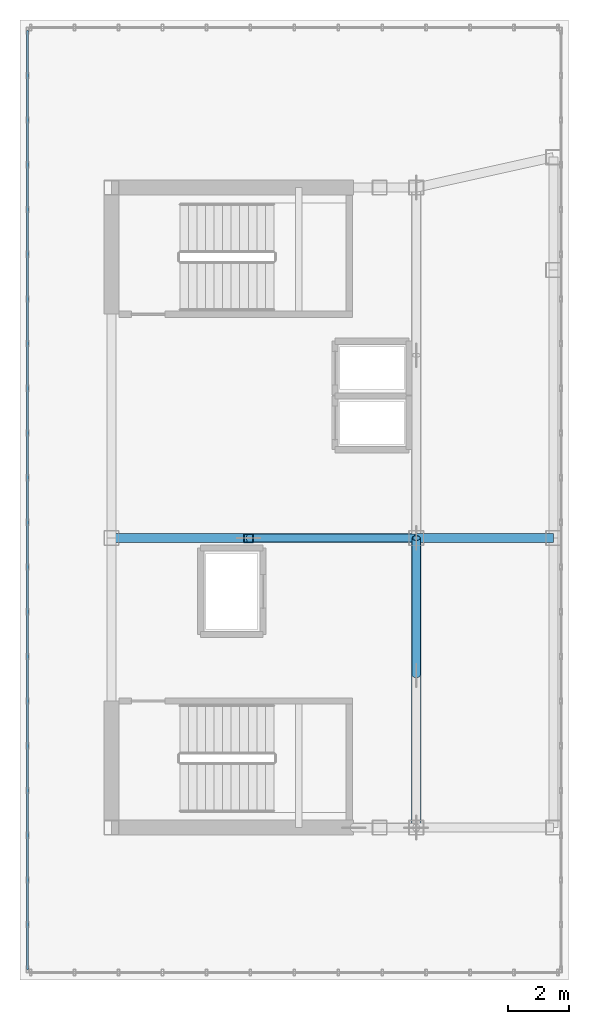
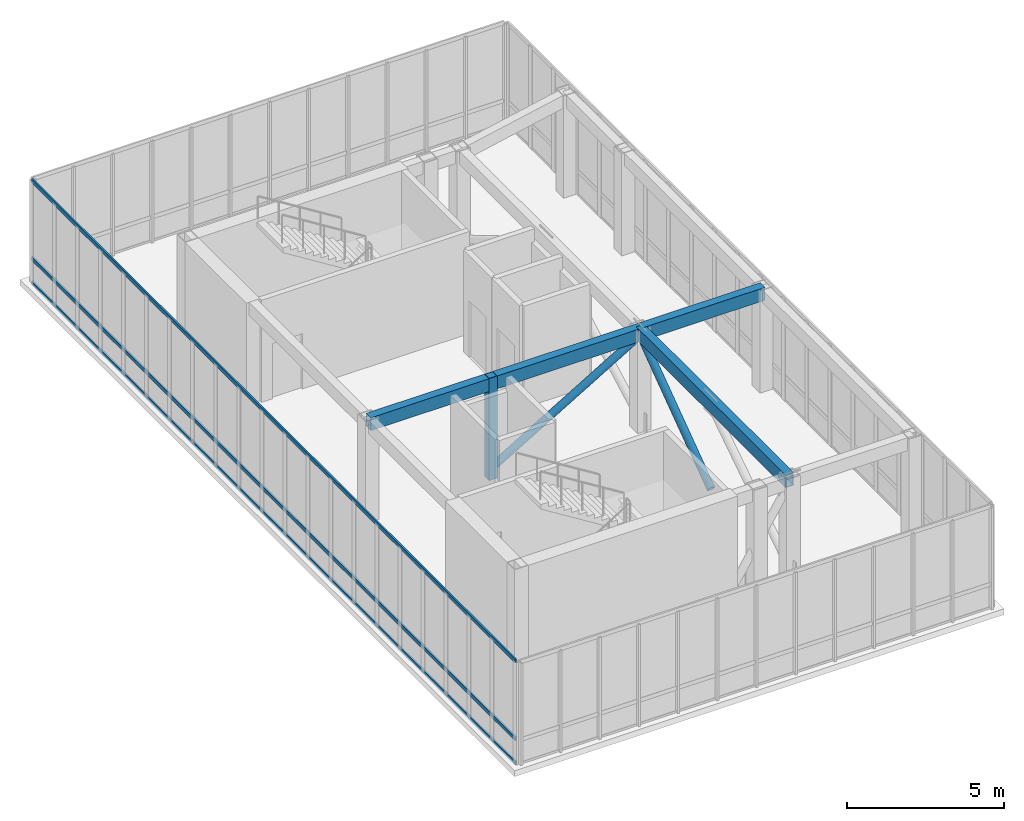
# One storey, part 5 of 13: 6 members, 3 beams, 1 element without a shape of its own.
"""IFC4 building model written with IfcOpenShell, lengths in metres."""

import ifcopenshell
import ifcopenshell.guid

model = None  # the IFC model being written
_history = None  # IfcOwnerHistory: only IFC2X3 demands one
_inside = {}  # id of a spatial element -> (the spatial element, [elements in it])
_under = {}  # id of a project, library or spatial element -> (it, [spatial elements below it])
_declared = {}  # id of a project -> (the project, [libraries it declares])
_typed = {}  # id of a type object -> (the type object, [elements of that type])
_made_of = {}  # id of a material, layer set ... -> (it, [elements and type objects made of it])


def new_model(schema):
    """Start an empty IFC model of exactly this schema.

    Asked for "IFC4X3", IfcOpenShell would pick the latest addendum, in which some entities
    have other attributes; the version numbers below select the first issue.
    IFC2X3 requires an IfcOwnerHistory on every rooted entity: one is made here for all.
    """
    global model, _history
    if schema == "IFC4X3":
        model = ifcopenshell.file(schema_version=(4, 3, 0, 0))
    else:
        model = ifcopenshell.file(schema=schema)
    _inside.clear()
    _under.clear()
    _declared.clear()
    _typed.clear()
    _made_of.clear()
    _history = None
    if model.schema == "IFC2X3":
        org = make("IfcOrganization", Name="unknown")
        user = make(
            "IfcPersonAndOrganization",
            ThePerson=make("IfcPerson", FamilyName="unknown"),
            TheOrganization=org,
        )
        app = make(
            "IfcApplication",
            ApplicationDeveloper=org,
            Version="unknown",
            ApplicationFullName="unknown",
            ApplicationIdentifier="unknown",
        )
        _history = make(
            "IfcOwnerHistory",
            OwningUser=user,
            OwningApplication=app,
            ChangeAction="ADDED",
            CreationDate=0,
        )
    return model


def make(cls, **values):
    """One entity of the class cls with the attributes given. An attribute that is None is left unset."""
    return model.create_entity(
        cls, **{name: value for name, value in values.items() if value is not None}
    )


def rooted(cls, **values):
    """An entity with a GlobalId (a new one), such as an element, a storey or a relation."""
    return make(cls, GlobalId=ifcopenshell.guid.new(), OwnerHistory=_history, **values)


def si_unit(unit_type, name, prefix=None):
    """IfcSIUnit, for example si_unit("LENGTHUNIT", "METRE", prefix="MILLI")."""
    return make("IfcSIUnit", UnitType=unit_type, Prefix=prefix, Name=name)


def assignment(units):
    """IfcUnitAssignment: the units of a project."""
    return None if units is None else make("IfcUnitAssignment", Units=units)


def point(xyz):
    """IfcCartesianPoint."""
    return None if xyz is None else make("IfcCartesianPoint", Coordinates=xyz)


def direction(xyz):
    """IfcDirection."""
    return None if xyz is None else make("IfcDirection", DirectionRatios=xyz)


def frame(location, z_axis=None, x_axis=None):
    """IfcAxis2Placement3D, a coordinate frame: its origin and axes. An axis left out is left unset."""
    return make(
        "IfcAxis2Placement3D",
        Location=point(location),
        Axis=direction(z_axis),
        RefDirection=direction(x_axis),
    )


def frame_2d(location, x_axis=None):
    """IfcAxis2Placement2D, a coordinate frame in the plane: its origin and x axis."""
    return make(
        "IfcAxis2Placement2D", Location=point(location), RefDirection=direction(x_axis)
    )


def origin():
    """The frame at (0, 0, 0) with its axes left unset."""
    return frame((0.0, 0.0, 0.0))


def origin_2d():
    """The frame at (0, 0) in the plane with its x axis left unset."""
    return frame_2d((0.0, 0.0))


def place(relative_to, where):
    """IfcLocalPlacement: puts the frame where relative to a parent placement (None: the world)."""
    return make(
        "IfcLocalPlacement", PlacementRelTo=relative_to, RelativePlacement=where
    )


def context(
    kind, dimensions, precision=None, world=None, true_north=None, identifier=None
):
    """IfcGeometricRepresentationContext, for example the 3D "Model" context."""
    return make(
        "IfcGeometricRepresentationContext",
        ContextIdentifier=identifier,
        ContextType=kind,
        CoordinateSpaceDimension=dimensions,
        Precision=precision,
        WorldCoordinateSystem=world,
        TrueNorth=true_north,
    )


def subcontext(parent, identifier, kind, view, scale=None):
    """IfcGeometricRepresentationSubContext, for example "Body" below "Model"."""
    return make(
        "IfcGeometricRepresentationSubContext",
        ContextIdentifier=identifier,
        ContextType=kind,
        ParentContext=parent,
        TargetScale=scale,
        TargetView=view,
    )


def project(units=None, contexts=None):
    """IfcProject with its units and contexts."""
    return rooted(
        "IfcProject",
        Name="project",
        RepresentationContexts=contexts,
        UnitsInContext=assignment(units),
    )


def spatial(cls, under=None, at=None, **own):
    """A site, building, storey or space (cls), placed at a placement, below another one or the project."""
    s = rooted(cls, ObjectPlacement=at, **own)
    if under is not None:
        _under.setdefault(under.id(), (under, []))[1].append(s)
    return s


def profile(cls, at=None, kind="AREA", **sizes):
    """A parametric profile (cls). Its sizes go by their IFC names, for example OverallWidth=200.0."""
    return make(cls, ProfileType=kind, Position=at, **sizes)


def hollow_rectangle(**sizes):
    """IfcRectangleHollowProfileDef."""
    return profile("IfcRectangleHollowProfileDef", **sizes)


def hollow_circle(**sizes):
    """IfcCircleHollowProfileDef."""
    return profile("IfcCircleHollowProfileDef", **sizes)


def extrude(swept, where, along, depth):
    """IfcExtrudedAreaSolid: the profile swept, set in the frame where, extruded along a direction by depth."""
    return make(
        "IfcExtrudedAreaSolid",
        SweptArea=swept,
        Position=where,
        ExtrudedDirection=direction(along),
        Depth=depth,
    )


def shape(context_of_items, identifier, shape_type, items):
    """IfcShapeRepresentation: the items that make up one representation, for example the "Body"."""
    return make(
        "IfcShapeRepresentation",
        ContextOfItems=context_of_items,
        RepresentationIdentifier=identifier,
        RepresentationType=shape_type,
        Items=items,
    )


def source(mapping_origin, context_of_items, identifier, shape_type, items):
    """IfcRepresentationMap: a shape defined once, which mapped items show again and again."""
    return make(
        "IfcRepresentationMap",
        MappingOrigin=mapping_origin,
        MappedRepresentation=shape(context_of_items, identifier, shape_type, items),
    )


def transform(
    local_origin,
    x_axis=None,
    y_axis=None,
    z_axis=None,
    scale=None,
    scale2=None,
    scale3=None,
    uniform=True,
):
    """IfcCartesianTransformationOperator3D, or its non-uniform kind. x_axis, y_axis, z_axis: its Axis1, 2, 3."""
    if uniform:
        return make(
            "IfcCartesianTransformationOperator3D",
            Axis1=direction(x_axis),
            Axis2=direction(y_axis),
            LocalOrigin=point(local_origin),
            Scale=scale,
            Axis3=direction(z_axis),
        )
    return make(
        "IfcCartesianTransformationOperator3DnonUniform",
        Axis1=direction(x_axis),
        Axis2=direction(y_axis),
        LocalOrigin=point(local_origin),
        Scale=scale,
        Axis3=direction(z_axis),
        Scale2=scale2,
        Scale3=scale3,
    )


def mapped(mapping_source, mapping_target):
    """IfcMappedItem: shows the shape of a source again, moved by a transform."""
    return make(
        "IfcMappedItem", MappingSource=mapping_source, MappingTarget=mapping_target
    )


def material(Name=None, Category=None):
    """IfcMaterial."""
    return make("IfcMaterial", Name=Name, Category=Category)


def layer(
    of_material, thickness, ventilated=None, Name=None, Category=None, Priority=None
):
    """IfcMaterialLayer: one layer of a wall or slab, of a material (None: an air gap)."""
    return make(
        "IfcMaterialLayer",
        Material=of_material,
        LayerThickness=thickness,
        IsVentilated=ventilated,
        Name=Name,
        Category=Category,
        Priority=Priority,
    )


def layer_set(layers, Name=None):
    """IfcMaterialLayerSet."""
    return make("IfcMaterialLayerSet", MaterialLayers=layers, LayerSetName=Name)


def material_profile(
    of_material, cross_section, Name=None, Category=None, Priority=None
):
    """IfcMaterialProfile: a cross section and its material."""
    return make(
        "IfcMaterialProfile",
        Name=Name,
        Material=of_material,
        Profile=cross_section,
        Priority=Priority,
        Category=Category,
    )


def profile_set(profiles, Name=None, composite=None):
    """IfcMaterialProfileSet."""
    return make(
        "IfcMaterialProfileSet",
        Name=Name,
        MaterialProfiles=profiles,
        CompositeProfile=composite,
    )


def made_of(thing, what):
    """Note that an element or type object is made of a material, layer set ...; save() writes the relation."""
    if what is not None:
        _made_of.setdefault(what.id(), (what, []))[1].append(thing)
    return thing


def type_object(cls, material=None, **own):
    """A type object (cls), such as IfcWallType, which elements share."""
    return made_of(rooted(cls, **own), material)


def element(
    cls,
    number,
    at=None,
    inside=None,
    cuts=None,
    type_object=None,
    material=None,
    context=None,
    identifier="Body",
    shape_type=None,
    held_by="IfcProductDefinitionShape",
    body=None,
    shapes=None,
    **own,
):
    """One element of the class cls, such as IfcWall. Its Tag is "e" and its number.

    at: its placement. inside: the storey or other place that contains it. cuts: it is an
    opening in that element (IfcRelVoidsElement). A single representation is given by context,
    identifier, shape_type and body (its items); several are given by shapes. held_by: the class
    of the entity that holds the representations. save() writes the other relations.
    """
    e = rooted(cls, Tag="e%d" % number, ObjectPlacement=at, **own)
    if body is not None:
        shapes = [shape(context, identifier, shape_type, body)]
    if shapes is not None:
        e.Representation = make(held_by, Representations=shapes)
    if inside is not None:
        _inside.setdefault(inside.id(), (inside, []))[1].append(e)
    if cuts is not None:
        rooted(
            "IfcRelVoidsElement", RelatingBuildingElement=cuts, RelatedOpeningElement=e
        )
    if type_object is not None:
        _typed.setdefault(type_object.id(), (type_object, []))[1].append(e)
    return made_of(e, material)


def aggregate(whole, parts):
    """IfcRelAggregates: a whole, such as a stair, and the parts it consists of."""
    return rooted("IfcRelAggregates", RelatingObject=whole, RelatedObjects=parts)


def save(model, path):
    """Write the relations noted so far, then the file.

    IfcRelAggregates (storeys below a building ...), IfcRelContainedInSpatialStructure (elements
    in a storey), IfcRelDefinesByType, IfcRelAssociatesMaterial and IfcRelDeclares: one each for
    every whole, place, type object, material and project.
    """
    for whole, parts in _under.values():
        aggregate(whole, parts)
    for where, things in _inside.values():
        rooted(
            "IfcRelContainedInSpatialStructure",
            RelatedElements=things,
            RelatingStructure=where,
        )
    for kind, things in _typed.values():
        rooted("IfcRelDefinesByType", RelatedObjects=things, RelatingType=kind)
    for what, things in _made_of.values():
        rooted("IfcRelAssociatesMaterial", RelatedObjects=things, RelatingMaterial=what)
    for by, libraries in _declared.values():
        rooted("IfcRelDeclares", RelatingContext=by, RelatedDefinitions=libraries)
    model.write(path)


model = new_model("IFC4")

# Units and contexts
model_context = context("Model", 3, precision=1e-05, world=origin(), true_north=direction((0.0, 1.0)))
body_context = subcontext(model_context, "Body", "Model", "MODEL_VIEW")
ifc_project = project(units=[si_unit("LENGTHUNIT", "METRE"), si_unit("AREAUNIT", "SQUARE_METRE"), si_unit("VOLUMEUNIT", "CUBIC_METRE"), si_unit("PLANEANGLEUNIT", "RADIAN"), si_unit("MASSUNIT", "GRAM", prefix="KILO")], contexts=[model_context])

# Site, building, storey
site_placement = place(None, origin())
site = spatial("IfcSite", under=ifc_project, at=site_placement, CompositionType="ELEMENT")
building_placement = place(site_placement, origin())
building = spatial("IfcBuilding", under=site, at=building_placement, Name="Kharzan Plaza Tower", CompositionType="ELEMENT")
storey_placement = place(building_placement, frame((0.0, 0.0, 281.39990234375)))
storey = spatial("IfcBuildingStorey", under=building, at=storey_placement, Name="L76-CROWN", CompositionType="ELEMENT", Elevation=281.39990234375)

# Beams
ifc_material_1 = material(Name="Steel S355", Category="steel")
ifc_material_profile_1 = material_profile(ifc_material_1, hollow_rectangle(XDim=0.300048828125, YDim=0.5, WallThickness=0.02001953125, at=origin_2d()), Name="RHS500x300x20")
ifc_profile_set_1 = profile_set([ifc_material_profile_1], Name="Steel S355")
beam_type = type_object("IfcBeamType", Name="BM-CRN500", PredefinedType="BEAM", material=ifc_profile_set_1)
shared_shape_1 = source(origin(), body_context, "Body", "SweptSolid", [
    extrude(hollow_rectangle(XDim=0.300048828125, YDim=0.5, WallThickness=0.02001953125, at=origin_2d()), origin(), (0.0, 0.0, 1.0), 9.5),
])
beam_1_placement = place(storey_placement, frame((14.5, 8.5, 3.72021484375), z_axis=(0.0, 1.0, 0.0), x_axis=(-1.0, 0.0, 0.0)))
element("IfcBeam", 1, at=beam_1_placement, inside=storey, type_object=beam_type, Name="L76-CROWN CROWN FRAME Lantern Ring Beam CRB-M1", PredefinedType="BEAM", context=body_context, shape_type="MappedRepresentation", body=[
    mapped(shared_shape_1, transform((0.0, 0.0, 0.0), x_axis=(1.0, 0.0, 0.0), y_axis=(0.0, 1.0, 0.0), z_axis=(0.0, 0.0, 1.0))),
])
shared_shape_2 = source(origin(), body_context, "Body", "SweptSolid", [
    extrude(hollow_rectangle(XDim=0.300048828125, YDim=0.5, WallThickness=0.02001953125, at=origin_2d()), origin(), (0.0, 0.0, 1.0), 10.0),
])
beam_2_placement = place(storey_placement, frame((4.5, 18.0, 3.72021484375), z_axis=(1.0, 0.0, 0.0), x_axis=(0.0, 1.0, 0.0)))
element("IfcBeam", 2, at=beam_2_placement, inside=storey, type_object=beam_type, Name="L76-CROWN CROWN FRAME Lantern Ring Beam CRB-I1", PredefinedType="BEAM", context=body_context, shape_type="MappedRepresentation", body=[
    mapped(shared_shape_2, transform((0.0, 0.0, 0.0), x_axis=(1.0, 0.0, 0.0), y_axis=(0.0, 1.0, 0.0), z_axis=(0.0, 0.0, 1.0))),
])
shared_shape_3 = source(origin(), body_context, "Body", "SweptSolid", [
    extrude(hollow_rectangle(XDim=0.300048828125, YDim=0.5, WallThickness=0.02001953125, at=origin_2d()), origin(), (0.0, 0.0, 1.0), 4.5),
])
beam_3_placement = place(storey_placement, frame((14.5, 18.0, 3.72021484375), z_axis=(1.0, 0.0, 0.0), x_axis=(0.0, 1.0, 0.0)))
element("IfcBeam", 3, at=beam_3_placement, inside=storey, type_object=beam_type, Name="L76-CROWN CROWN FRAME Lantern Ring Beam CRB-I2", PredefinedType="BEAM", context=body_context, shape_type="MappedRepresentation", body=[
    mapped(shared_shape_3, transform((0.0, 0.0, 0.0), x_axis=(1.0, 0.0, 0.0), y_axis=(0.0, 1.0, 0.0), z_axis=(0.0, 0.0, 1.0))),
])

# Members
ifc_material_profile_2 = material_profile(ifc_material_1, hollow_circle(Radius=0.136474609375, WallThickness=0.010009765625, at=origin_2d()), Name="CHS273x10")
ifc_profile_set_2 = profile_set([ifc_material_profile_2], Name="Steel S355")
member_type_1 = type_object("IfcMemberType", Name="MEM-CRN-DIAG", PredefinedType="BRACE", material=ifc_profile_set_2)
shared_shape_4 = source(origin(), body_context, "Body", "SweptSolid", [
    extrude(hollow_circle(Radius=0.136474609375, WallThickness=0.010009765625, at=origin_2d()), origin(), (0.0, 0.0, 1.0), 6.398681640625),
])
member_1_placement = place(storey_placement, frame((9.0, 18.0, 0.35009765625), z_axis=(0.859553101499, 0.0, 0.511046441827), x_axis=(0.0, 1.0, 0.0)))
element("IfcMember", 4, at=member_1_placement, inside=storey, type_object=member_type_1, Name="L76-CROWN CROWN FRAME Diagonal Wind Brace CRD-W1", PredefinedType="BRACE", context=body_context, shape_type="MappedRepresentation", body=[
    mapped(shared_shape_4, transform((0.0, 0.0, 0.0), x_axis=(1.0, 0.0, 0.0), y_axis=(0.0, 1.0, 0.0), z_axis=(0.0, 0.0, 1.0))),
])
shared_shape_5 = source(origin(), body_context, "Body", "SweptSolid", [
    extrude(hollow_circle(Radius=0.136474609375, WallThickness=0.010009765625, at=origin_2d()), origin(), (0.0, 0.0, 1.0), 5.562744140625),
])
member_2_placement = place(storey_placement, frame((14.5, 13.5, 0.35009765625), z_axis=(0.0, 0.808967567345, 0.587853276748), x_axis=(-1.0, 0.0, 0.0)))
element("IfcMember", 5, at=member_2_placement, inside=storey, type_object=member_type_1, Name="L76-CROWN CROWN FRAME Diagonal Wind Brace CRD-S2", PredefinedType="BRACE", context=body_context, shape_type="MappedRepresentation", body=[
    mapped(shared_shape_5, transform((0.0, 0.0, 0.0), x_axis=(1.0, 0.0, 0.0), y_axis=(0.0, 1.0, 0.0), z_axis=(0.0, 0.0, 1.0))),
])

# Curtain wall, members
ifc_material_2 = material(Name="Unitised Bronze-Anodized Aluminium and Low-E Glass", Category="aluminium")
ifc_layer = layer(ifc_material_2, 0.199951171875)
ifc_layer_set = layer_set([ifc_layer], Name="Unitised Bronze-Anodized Aluminium and Low-E Glass")
curtain_wall_type = type_object("IfcCurtainWallType", Name="CW-LANTERN-6", PredefinedType="NOTDEFINED", material=ifc_layer_set)
curtain_wall_placement = place(storey_placement, origin())
curtain_wall = element("IfcCurtainWall", 6, at=curtain_wall_placement, inside=storey, type_object=curtain_wall_type, Name="L76-CROWN Lantern Crown Illuminated Curtain Wall 4", PredefinedType="NOTDEFINED")
ifc_material_3 = material(Name="Anodized Bronze Aluminium", Category="aluminium")
ifc_material_profile_3 = material_profile(ifc_material_3, hollow_rectangle(XDim=0.06005859375, YDim=0.14990234375, WallThickness=0.00341796875, at=origin_2d()), Name="ALU-T150x60x3.5")
ifc_profile_set_3 = profile_set([ifc_material_profile_3], Name="Anodized Bronze Aluminium")
member_type_2 = type_object("IfcMemberType", Name="MEM-CW-TRN150", PredefinedType="USERDEFINED", material=ifc_profile_set_3)
shared_shape_6 = source(origin(), body_context, "Body", "SweptSolid", [
    extrude(hollow_rectangle(XDim=0.06005859375, YDim=0.14990234375, WallThickness=0.00341796875, at=origin_2d()), origin(), (0.0, 0.0, 1.0), 30.7998046875),
])
member_3_placement = place(storey_placement, frame((1.75, 34.64990234375, 0.0), z_axis=(0.0, -1.0, 0.0), x_axis=(1.0, 0.0, 0.0)))
member_3 = element("IfcMember", 7, at=member_3_placement, type_object=member_type_2, Name="L76-CROWN Curtain-Wall Transom 1", ObjectType="TRANSOM", PredefinedType="USERDEFINED", context=body_context, shape_type="MappedRepresentation", body=[
    mapped(shared_shape_6, transform((0.0, 0.0, 0.0), x_axis=(1.0, 0.0, 0.0), y_axis=(0.0, 1.0, 0.0), z_axis=(0.0, 0.0, 1.0))),
])
member_4_placement = place(storey_placement, frame((1.75, 34.64990234375, 0.9501953125), z_axis=(0.0, -1.0, 0.0), x_axis=(1.0, 0.0, 0.0)))
member_4 = element("IfcMember", 8, at=member_4_placement, type_object=member_type_2, Name="L76-CROWN Curtain-Wall Transom 2", ObjectType="TRANSOM", PredefinedType="USERDEFINED", context=body_context, shape_type="MappedRepresentation", body=[
    mapped(shared_shape_6, transform((0.0, 0.0, 0.0), x_axis=(1.0, 0.0, 0.0), y_axis=(0.0, 1.0, 0.0), z_axis=(0.0, 0.0, 1.0))),
])
member_5_placement = place(storey_placement, frame((1.75, 34.64990234375, 3.97021484375), z_axis=(0.0, -1.0, 0.0), x_axis=(1.0, 0.0, 0.0)))
member_5 = element("IfcMember", 9, at=member_5_placement, type_object=member_type_2, Name="L76-CROWN Curtain-Wall Transom 3", ObjectType="TRANSOM", PredefinedType="USERDEFINED", context=body_context, shape_type="MappedRepresentation", body=[
    mapped(shared_shape_6, transform((0.0, 0.0, 0.0), x_axis=(1.0, 0.0, 0.0), y_axis=(0.0, 1.0, 0.0), z_axis=(0.0, 0.0, 1.0))),
])
aggregate(curtain_wall, [member_3, member_4, member_5])

# Member
ifc_material_profile_4 = material_profile(ifc_material_1, hollow_rectangle(XDim=0.300048828125, YDim=0.300048828125, WallThickness=0.01611328125, at=origin_2d()), Name="SHS300x300x16")
ifc_profile_set_4 = profile_set([ifc_material_profile_4], Name="Steel S355")
member_type_3 = type_object("IfcMemberType", Name="MEM-CRN-POST", PredefinedType="POST", material=ifc_profile_set_4)
shared_shape_7 = source(origin(), body_context, "Body", "SweptSolid", [
    extrude(hollow_rectangle(XDim=0.300048828125, YDim=0.300048828125, WallThickness=0.01611328125, at=origin_2d()), origin(), (0.0, 0.0, 1.0), 3.97021484375),
])
member_6_placement = place(storey_placement, frame((9.0, 18.0, 0.0), z_axis=(0.0, 0.0, 1.0), x_axis=(1.0, 0.0, 0.0)))
element("IfcMember", 10, at=member_6_placement, inside=storey, type_object=member_type_3, Name="L76-CROWN CROWN FRAME Lantern Post 1", PredefinedType="POST", context=body_context, shape_type="MappedRepresentation", body=[
    mapped(shared_shape_7, transform((0.0, 0.0, 0.0), x_axis=(1.0, 0.0, 0.0), y_axis=(0.0, 1.0, 0.0), z_axis=(0.0, 0.0, 1.0))),
])

save(model, "model.ifc")
